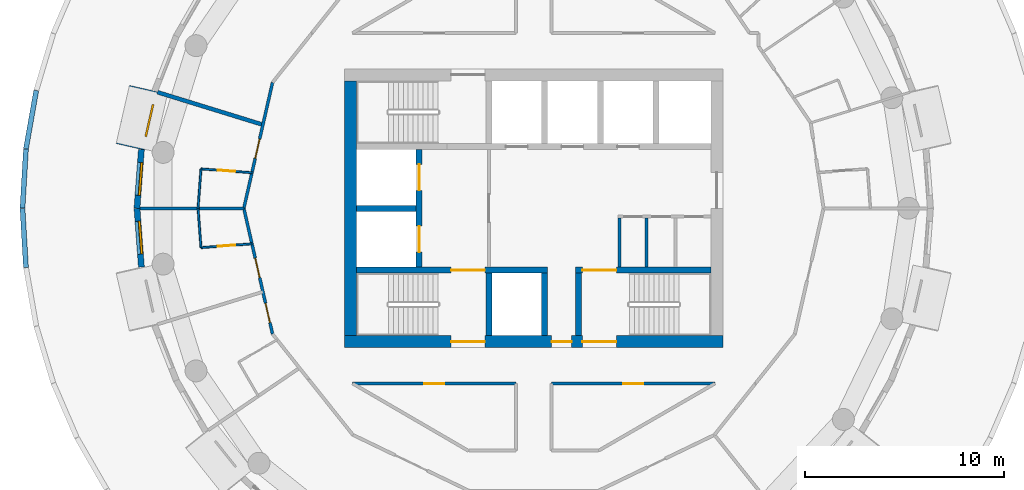
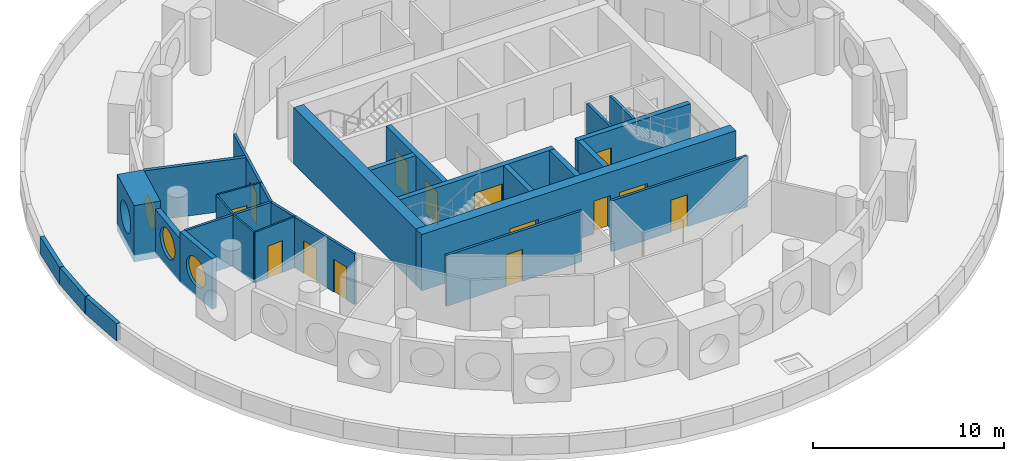
# One storey, part 4 of 13: 27 walls, 14 doors, 3 windows, 17 openings.
"""IFC4 building model written with IfcOpenShell, lengths in metres."""

from ifc_helpers import new_model, si_unit, direction, frame, frame_2d, origin, origin_2d, place, context, subcontext, project, spatial, rectangle, circle, extrude, material, layer, layer_set, type_object, element, fill, save


model = new_model("IFC4")

# Units and contexts
model_context = context("Model", 3, precision=1e-05, world=origin(), true_north=direction((0.0, 1.0)))
body_context = subcontext(model_context, "Body", "Model", "MODEL_VIEW")
ifc_project = project(units=[si_unit("LENGTHUNIT", "METRE"), si_unit("AREAUNIT", "SQUARE_METRE"), si_unit("VOLUMEUNIT", "CUBIC_METRE"), si_unit("PLANEANGLEUNIT", "RADIAN"), si_unit("MASSUNIT", "GRAM", prefix="KILO")], contexts=[model_context])

# Site, building, storey
site_placement = place(None, origin())
site = spatial("IfcSite", under=ifc_project, at=site_placement, CompositionType="ELEMENT")
building_placement = place(site_placement, origin())
building = spatial("IfcBuilding", under=site, at=building_placement, Name="Tracery Tower", CompositionType="ELEMENT")
storey_placement = place(building_placement, frame((0.0, 0.0, 231.0)))
storey = spatial("IfcBuildingStorey", under=building, at=storey_placement, Name="L59", CompositionType="ELEMENT", Elevation=231.0)

# Walls
ifc_material_1 = material(Name="Plasterboard on steel studs", Category="steel")
ifc_layer_1 = layer(ifc_material_1, 0.14990234375)
ifc_layer_set_1 = layer_set([ifc_layer_1], Name="Core room partition 150")
wall_type_1 = type_object("IfcWallType", Name="Core room partition 150", PredefinedType="SOLIDWALL", material=ifc_layer_set_1)
for number, where, z_axis, x_axis, name in (
    (1, (4.300048828125, -2.949951171875, 0.0), (0.0, 0.0, 1.0), (0.0, 1.0, 0.0), "L59 slot W"),
    (2, (5.675048828125, -2.949951171875, 0.0), (0.0, 0.0, 1.0), (0.0, 1.0, 0.0), "L59 slot sep 1"),
):
    element("IfcWall", number, at=place(storey_placement, frame(where, z_axis=z_axis, x_axis=x_axis)), inside=storey, type_object=wall_type_1, Name=name, PredefinedType="SOLIDWALL", context=body_context, shape_type="SweptSolid", body=[
        extrude(rectangle(XDim=2.449951171875, YDim=0.14990234375, at=frame_2d((1.22509765625, 0.0))), origin(), (0.0, 0.0, 1.0), 3.25),
    ])

# Wall, openings, doors
ifc_material_2 = material(Name="Concrete C40/50", Category="concrete")
ifc_layer_2 = layer(ifc_material_2, 0.60009765625)
ifc_layer_set_2 = layer_set([ifc_layer_2], Name="Core wall 600 C40")
wall_type_2 = type_object("IfcWallType", Name="Core wall 600 C40", PredefinedType="SOLIDWALL", material=ifc_layer_set_2)
wall_1_placement = place(storey_placement, frame((-9.5, -6.699951171875, 0.0), z_axis=(0.0, 0.0, 1.0), x_axis=(1.0, 0.0, 0.0)))
wall_1 = element("IfcWall", 3, at=wall_1_placement, inside=storey, type_object=wall_type_2, Name="L59 outer S", PredefinedType="SOLIDWALL", context=body_context, shape_type="SweptSolid", body=[
    extrude(rectangle(XDim=19.0, YDim=0.60009765625, at=frame_2d((9.5, 0.0))), origin(), (0.0, 0.0, 1.0), 3.60009765625),
])
opening_1_placement = place(wall_1_placement, frame((10.39990234375, 0.0, 0.0)))
opening_1 = element("IfcOpeningElement", 4, at=opening_1_placement, cuts=wall_1, Name="Opening KD16", PredefinedType="OPENING", context=body_context, shape_type="SweptSolid", body=[
    extrude(rectangle(XDim=1.0, YDim=2.10009765625, at=frame_2d((0.5, 1.050048828125))), frame((0.0, 0.300048828125, 0.0), z_axis=(0.0, -1.0, 0.0), x_axis=(1.0, 0.0, 0.0)), (0.0, 0.0, 1.0), 0.60009765625),
])
opening_2_placement = place(wall_1_placement, frame((5.35009765625, 0.0, 0.0)))
opening_2 = element("IfcOpeningElement", 5, at=opening_2_placement, cuts=wall_1, Name="Opening KD3", PredefinedType="OPENING", context=body_context, shape_type="SweptSolid", body=[
    extrude(rectangle(XDim=1.699951171875, YDim=2.10009765625, at=frame_2d((0.85009765625, 1.050048828125))), frame((0.0, 0.300048828125, 0.0), z_axis=(0.0, -1.0, 0.0), x_axis=(1.0, 0.0, 0.0)), (0.0, 0.0, 1.0), 0.60009765625),
])
opening_3_placement = place(wall_1_placement, frame((11.949951171875, 0.0, 0.0)))
opening_3 = element("IfcOpeningElement", 6, at=opening_3_placement, cuts=wall_1, Name="Opening KD3", PredefinedType="OPENING", context=body_context, shape_type="SweptSolid", body=[
    extrude(rectangle(XDim=1.699951171875, YDim=2.10009765625, at=frame_2d((0.85009765625, 1.050048828125))), frame((0.0, 0.300048828125, 0.0), z_axis=(0.0, -1.0, 0.0), x_axis=(1.0, 0.0, 0.0)), (0.0, 0.0, 1.0), 0.60009765625),
])
ifc_material_3 = material(Name="Steel fire door", Category="steel")
door_type_1 = type_object("IfcDoorType", Name="Core exit door 1000", OperationType="NOTDEFINED", PredefinedType="DOOR", material=ifc_material_3)
door_1_placement = place(opening_1_placement, origin())
door_1 = element("IfcDoor", 7, at=door_1_placement, inside=storey, type_object=door_type_1, Name="Core exit door", OperationType="SINGLE_SWING_LEFT", OverallHeight=2.10009765625, OverallWidth=1.0, PredefinedType="DOOR", context=body_context, shape_type="SweptSolid", body=[
    extrude(rectangle(XDim=1.0, YDim=2.10009765625, at=frame_2d((0.5, 1.050048828125))), frame((0.0, 0.02490234375, 0.0), z_axis=(0.0, -1.0, 0.0), x_axis=(1.0, 0.0, 0.0)), (0.0, 0.0, 1.0), 0.050048828125),
])
fill(opening_1, door_1)
ifc_material_4 = material(Name="Steel fire door", Category="steel")
door_type_2 = type_object("IfcDoorType", Name="Core stair door 1700 double", OperationType="NOTDEFINED", PredefinedType="DOOR", material=ifc_material_4)
door_2_placement = place(opening_2_placement, origin())
door_2 = element("IfcDoor", 8, at=door_2_placement, inside=storey, type_object=door_type_2, Name="Stair door ST1 exit", OperationType="DOUBLE_DOOR_SINGLE_SWING", OverallHeight=2.10009765625, OverallWidth=1.699951171875, PredefinedType="DOOR", context=body_context, shape_type="SweptSolid", body=[
    extrude(rectangle(XDim=1.699951171875, YDim=2.10009765625, at=frame_2d((0.85009765625, 1.050048828125))), frame((0.0, 0.02490234375, 0.0), z_axis=(0.0, -1.0, 0.0), x_axis=(1.0, 0.0, 0.0)), (0.0, 0.0, 1.0), 0.050048828125),
])
fill(opening_2, door_2)
door_3_placement = place(opening_3_placement, origin())
door_3 = element("IfcDoor", 9, at=door_3_placement, inside=storey, type_object=door_type_2, Name="Stair door ST2 exit", OperationType="DOUBLE_DOOR_SINGLE_SWING", OverallHeight=2.10009765625, OverallWidth=1.699951171875, PredefinedType="DOOR", context=body_context, shape_type="SweptSolid", body=[
    extrude(rectangle(XDim=1.699951171875, YDim=2.10009765625, at=frame_2d((0.85009765625, 1.050048828125))), frame((0.0, 0.02490234375, 0.0), z_axis=(0.0, -1.0, 0.0), x_axis=(1.0, 0.0, 0.0)), (0.0, 0.0, 1.0), 0.050048828125),
])
fill(opening_3, door_3)

# Wall
wall_2_placement = place(storey_placement, frame((-9.199951171875, -6.39990234375, 0.0), z_axis=(0.0, 0.0, 1.0), x_axis=(0.0, 1.0, 0.0)))
element("IfcWall", 10, at=wall_2_placement, inside=storey, type_object=wall_type_2, Name="L59 outer W", PredefinedType="SOLIDWALL", context=body_context, shape_type="SweptSolid", body=[
    extrude(rectangle(XDim=12.7998046875, YDim=0.60009765625, at=frame_2d((6.39990234375, 0.0))), origin(), (0.0, 0.0, 1.0), 3.60009765625),
])

# Wall, opening, window
ifc_material_5 = material(Name="Precast concrete C50/60", Category="concrete")
ifc_layer_3 = layer(ifc_material_5, 1.449951171875)
ifc_layer_set_3 = layer_set([ifc_layer_3], Name="Deep-set bay unit 3000 x 3600, slab edge 350")
wall_type_3 = type_object("IfcWallType", Name="Deep-set bay unit 3000 x 3600, slab edge 350", PredefinedType="ELEMENTEDWALL", material=ifc_layer_set_3)
wall_3_placement = place(storey_placement, frame((-19.5947265625, 6.010986328125, -0.35009765625), z_axis=(0.0, 0.0, 1.0), x_axis=(-0.222570682856, -0.974916555985, 0.0)))
wall_3 = element("IfcWall", 11, at=wall_3_placement, inside=storey, type_object=wall_type_3, Name="Deep-set bay unit 20 at L59", PredefinedType="ELEMENTEDWALL", context=body_context, shape_type="SweptSolid", body=[
    extrude(rectangle(XDim=3.0, YDim=1.449951171875, at=frame_2d((1.5, 0.0))), origin(), (0.0, 0.0, 1.0), 3.60009765625),
])
opening_4_placement = place(wall_3_placement, frame((1.5, 0.0, 1.89990234375)))
opening_4 = element("IfcOpeningElement", 12, at=opening_4_placement, cuts=wall_3, Name="Opening WN1", PredefinedType="OPENING", context=body_context, shape_type="SweptSolid", body=[
    extrude(circle(Radius=0.9000244140625, at=origin_2d()), frame((0.0, 0.73486328125, 0.0), z_axis=(0.0, -1.0, 0.0), x_axis=(1.0, 0.0, 0.0)), (0.0, 0.0, 1.0), 1.469970703125),
])
ifc_material_6 = material(Name="Aluminium frame with tinted double glazing", Category="aluminium")
window_type = type_object("IfcWindowType", Name="Round window 1800", PartitioningType="SINGLE_PANEL", PredefinedType="WINDOW", material=ifc_material_6)
window_1_placement = place(opening_4_placement, origin())
window_1 = element("IfcWindow", 13, at=window_1_placement, inside=storey, type_object=window_type, Name="Round window 20 at L59", OverallHeight=1.800048828125, OverallWidth=1.800048828125, PartitioningType="SINGLE_PANEL", PredefinedType="WINDOW", context=body_context, shape_type="SweptSolid", body=[
    extrude(circle(Radius=0.9000244140625, at=origin_2d()), frame((0.0, 0.69482421875, 0.0), z_axis=(0.0, -1.0, 0.0), x_axis=(1.0, 0.0, 0.0)), (0.0, 0.0, 1.0), 0.10009765625),
])
fill(opening_4, window_1)

ifc_material_7 = material(Name="Precast concrete C50/60", Category="concrete")
ifc_layer_4 = layer(ifc_material_7, 0.300048828125)
ifc_layer_set_4 = layer_set([ifc_layer_4], Name="Facade panel 3000 x 2800")
wall_type_4 = type_object("IfcWallType", Name="Facade panel 3000 x 2800", PredefinedType="SOLIDWALL", material=ifc_layer_set_4)
wall_4_placement = place(storey_placement, frame((-19.700439453125, 2.953857421875, 0.0), z_axis=(0.0, 0.0, 1.0), x_axis=(-0.074755115547, -0.997201921729, 0.0)))
wall_4 = element("IfcWall", 14, at=wall_4_placement, inside=storey, type_object=wall_type_4, Name="Facade panel 21 at L59", PredefinedType="SOLIDWALL", context=body_context, shape_type="SweptSolid", body=[
    extrude(rectangle(XDim=2.962158203125, YDim=0.300048828125, at=frame_2d((1.48095703125, 0.0))), origin(), (0.0, 0.0, 1.0), 2.800048828125),
])
opening_5_placement = place(wall_4_placement, frame((1.48095703125, 0.0, 1.5498046875)))
opening_5 = element("IfcOpeningElement", 15, at=opening_5_placement, cuts=wall_4, Name="Opening WN1", PredefinedType="OPENING", context=body_context, shape_type="SweptSolid", body=[
    extrude(circle(Radius=0.9000244140625, at=origin_2d()), frame((0.0, 0.159912109375, 0.0), z_axis=(0.0, -1.0, 0.0), x_axis=(1.0, 0.0, 0.0)), (0.0, 0.0, 1.0), 0.320068359375),
])
window_2_placement = place(opening_5_placement, origin())
window_2 = element("IfcWindow", 16, at=window_2_placement, inside=storey, type_object=window_type, Name="Round window 21 at L59", OverallHeight=1.800048828125, OverallWidth=1.800048828125, PartitioningType="SINGLE_PANEL", PredefinedType="WINDOW", context=body_context, shape_type="SweptSolid", body=[
    extrude(circle(Radius=0.9000244140625, at=origin_2d()), frame((0.0, 0.1201171875, 0.0), z_axis=(0.0, -1.0, 0.0), x_axis=(1.0, 0.0, 0.0)), (0.0, 0.0, 1.0), 0.10009765625),
])
fill(opening_5, window_2)

ifc_material_8 = material(Name="Precast concrete C50/60", Category="concrete")
ifc_layer_5 = layer(ifc_material_8, 0.300048828125)
ifc_layer_set_5 = layer_set([ifc_layer_5], Name="Facade panel 3000 x 3250")
wall_type_5 = type_object("IfcWallType", Name="Facade panel 3000 x 3250", PredefinedType="SOLIDWALL", material=ifc_layer_set_5)
wall_5_placement = place(storey_placement, frame((-19.921875, 0.0, 0.0), z_axis=(0.0, 0.0, 1.0), x_axis=(0.074755115547, -0.997201921729, 0.0)))
wall_5 = element("IfcWall", 17, at=wall_5_placement, inside=storey, type_object=wall_type_5, Name="Facade panel 22 at L59", PredefinedType="SOLIDWALL", context=body_context, shape_type="SweptSolid", body=[
    extrude(rectangle(XDim=2.962158203125, YDim=0.300048828125, at=frame_2d((1.48095703125, 0.0))), origin(), (0.0, 0.0, 1.0), 3.25),
])
opening_6_placement = place(wall_5_placement, frame((1.48095703125, 0.0, 1.5498046875)))
opening_6 = element("IfcOpeningElement", 18, at=opening_6_placement, cuts=wall_5, Name="Opening WN1", PredefinedType="OPENING", context=body_context, shape_type="SweptSolid", body=[
    extrude(circle(Radius=0.9000244140625, at=origin_2d()), frame((0.0, 0.159912109375, 0.0), z_axis=(0.0, -1.0, 0.0), x_axis=(1.0, 0.0, 0.0)), (0.0, 0.0, 1.0), 0.320068359375),
])
window_3_placement = place(opening_6_placement, origin())
window_3 = element("IfcWindow", 19, at=window_3_placement, inside=storey, type_object=window_type, Name="Round window 22 at L59", OverallHeight=1.800048828125, OverallWidth=1.800048828125, PartitioningType="SINGLE_PANEL", PredefinedType="WINDOW", context=body_context, shape_type="SweptSolid", body=[
    extrude(circle(Radius=0.9000244140625, at=origin_2d()), frame((0.0, 0.1201171875, 0.0), z_axis=(0.0, -1.0, 0.0), x_axis=(1.0, 0.0, 0.0)), (0.0, 0.0, 1.0), 0.10009765625),
])
fill(opening_6, window_3)

# Wall, opening, door
ifc_material_9 = material(Name="Plasterboard on steel studs", Category="steel")
ifc_layer_6 = layer(ifc_material_9, 0.10009765625)
ifc_layer_set_6 = layer_set([ifc_layer_6], Name="Partition 100 wet wall")
wall_type_6 = type_object("IfcWallType", Name="Partition 100 wet wall", PredefinedType="PARTITIONING", material=ifc_layer_set_6)
wall_6_placement = place(storey_placement, frame((-16.7080078125, 1.97705078125, 0.0), z_axis=(0.0, 0.0, 1.0), x_axis=(0.997193275785, -0.074870359477, 0.0)))
wall_6 = element("IfcWall", 20, at=wall_6_placement, inside=storey, type_object=wall_type_6, Name="Wet wall RC1-060", PredefinedType="PARTITIONING", context=body_context, shape_type="SweptSolid", body=[
    extrude(rectangle(XDim=2.56640625, YDim=0.10009765625, at=frame_2d((1.283203125, 0.0))), origin(), (0.0, 0.0, 1.0), 3.25),
])
opening_7_placement = place(wall_6_placement, frame((0.833251953125, 0.0, 0.0)))
opening_7 = element("IfcOpeningElement", 21, at=opening_7_placement, cuts=wall_6, Name="Opening RC1-14", PredefinedType="OPENING", context=body_context, shape_type="SweptSolid", body=[
    extrude(rectangle(XDim=0.89990234375, YDim=2.0400390625, at=frame_2d((0.449951171875, 1.02001953125))), frame((0.0, 0.050048828125, 0.0), z_axis=(0.0, -1.0, 0.0), x_axis=(1.0, 0.0, 0.0)), (0.0, 0.0, 1.0), 0.10009765625),
])
ifc_material_10 = material(Name="Timber door leaf", Category="wood")
door_type_3 = type_object("IfcDoorType", Name="Door en-suite 900", OperationType="NOTDEFINED", PredefinedType="DOOR", material=ifc_material_10)
door_4_placement = place(opening_7_placement, origin())
door_4 = element("IfcDoor", 22, at=door_4_placement, inside=storey, type_object=door_type_3, Name="En-suite door RC1-14", OperationType="SINGLE_SWING_LEFT", OverallHeight=2.0400390625, OverallWidth=0.89990234375, PredefinedType="DOOR", context=body_context, shape_type="SweptSolid", body=[
    extrude(rectangle(XDim=0.89990234375, YDim=2.0400390625, at=frame_2d((0.449951171875, 1.02001953125))), frame((0.0, 0.02490234375, 0.0), z_axis=(0.0, -1.0, 0.0), x_axis=(1.0, 0.0, 0.0)), (0.0, 0.0, 1.0), 0.050048828125),
])
fill(opening_7, door_4)

# Walls
for number, where, z_axis, x_axis, name in (
    (23, (-16.85595703125, 0.0, 0.0), (0.0, 0.0, 1.0), (0.074624634103, 0.997211694669, 0.0), "Wet wall RC1-061"),
    (24, (-16.85595703125, 0.0, 0.0), (0.0, 0.0, 1.0), (0.074624634103, -0.997211694669, 0.0), "Wet wall RC1-063"),
):
    element("IfcWall", number, at=place(storey_placement, frame(where, z_axis=z_axis, x_axis=x_axis)), inside=storey, type_object=wall_type_6, Name=name, PredefinedType="PARTITIONING", context=body_context, shape_type="SweptSolid", body=[
        extrude(rectangle(XDim=1.982666015625, YDim=0.10009765625, at=frame_2d((0.9912109375, 0.0))), origin(), (0.0, 0.0, 1.0), 3.25),
    ])

# Wall, opening, door
wall_7_placement = place(storey_placement, frame((-16.7080078125, -1.97705078125, 0.0), z_axis=(0.0, 0.0, 1.0), x_axis=(0.997193275785, 0.074870359477, 0.0)))
wall_7 = element("IfcWall", 25, at=wall_7_placement, inside=storey, type_object=wall_type_6, Name="Wet wall RC1-064", PredefinedType="PARTITIONING", context=body_context, shape_type="SweptSolid", body=[
    extrude(rectangle(XDim=2.56640625, YDim=0.10009765625, at=frame_2d((1.283203125, 0.0))), origin(), (0.0, 0.0, 1.0), 3.25),
])
opening_8_placement = place(wall_7_placement, frame((0.8330078125, 0.0, 0.0)))
opening_8 = element("IfcOpeningElement", 26, at=opening_8_placement, cuts=wall_7, Name="Opening RC1-16", PredefinedType="OPENING", context=body_context, shape_type="SweptSolid", body=[
    extrude(rectangle(XDim=0.89990234375, YDim=2.0400390625, at=frame_2d((0.449951171875, 1.02001953125))), frame((0.0, 0.050048828125, 0.0), z_axis=(0.0, -1.0, 0.0), x_axis=(1.0, 0.0, 0.0)), (0.0, 0.0, 1.0), 0.10009765625),
])
door_5_placement = place(opening_8_placement, origin())
door_5 = element("IfcDoor", 27, at=door_5_placement, inside=storey, type_object=door_type_3, Name="En-suite door RC1-16", OperationType="SINGLE_SWING_LEFT", OverallHeight=2.0400390625, OverallWidth=0.89990234375, PredefinedType="DOOR", context=body_context, shape_type="SweptSolid", body=[
    extrude(rectangle(XDim=0.89990234375, YDim=2.0400390625, at=frame_2d((0.449951171875, 1.02001953125))), frame((0.0, 0.02490234375, 0.0), z_axis=(0.0, -1.0, 0.0), x_axis=(1.0, 0.0, 0.0)), (0.0, 0.0, 1.0), 0.050048828125),
])
fill(opening_8, door_5)

# Wall
ifc_material_11 = material(Name="Plasterboard on steel studs", Category="steel")
ifc_layer_7 = layer(ifc_material_11, 0.14990234375)
ifc_layer_set_7 = layer_set([ifc_layer_7], Name="Partition 150 acoustic unit wall")
wall_type_7 = type_object("IfcWallType", Name="Partition 150 acoustic unit wall", PredefinedType="PARTITIONING", material=ifc_layer_set_7)
wall_8_placement = place(storey_placement, frame((-19.77099609375, 0.0, 0.0), z_axis=(0.0, 0.0, 1.0), x_axis=(1.0, 0.0, 0.0)))
element("IfcWall", 28, at=wall_8_placement, inside=storey, type_object=wall_type_7, Name="Unit wall RC1-062", PredefinedType="PARTITIONING", context=body_context, shape_type="SweptSolid", body=[
    extrude(rectangle(XDim=5.214111328125, YDim=0.14990234375, at=frame_2d((2.60693359375, 0.0))), origin(), (0.0, 0.0, 1.0), 3.25),
])

# Wall, opening, door
ifc_material_12 = material(Name="Plasterboard on steel studs", Category="steel")
ifc_layer_8 = layer(ifc_material_12, 0.14990234375)
ifc_layer_set_8 = layer_set([ifc_layer_8], Name="Partition 150 corridor wall")
wall_type_8 = type_object("IfcWallType", Name="Partition 150 corridor wall", PredefinedType="PARTITIONING", material=ifc_layer_set_8)
wall_9_placement = place(storey_placement, frame((-9.092041015625, -8.800048828125, 0.0), z_axis=(0.0, 0.0, 1.0), x_axis=(1.0, 0.0, 0.0)))
wall_9 = element("IfcWall", 29, at=wall_9_placement, inside=storey, type_object=wall_type_8, Name="Corridor wall RC1-011", PredefinedType="PARTITIONING", context=body_context, shape_type="SweptSolid", body=[
    extrude(rectangle(XDim=8.196044921875, YDim=0.14990234375, at=frame_2d((4.09814453125, 0.0))), origin(), (0.0, 0.0, 1.0), 3.25),
])
opening_9_placement = place(wall_9_placement, frame((3.597900390625, 0.0, 0.0)))
opening_9 = element("IfcOpeningElement", 30, at=opening_9_placement, cuts=wall_9, Name="Opening RC1-03", PredefinedType="OPENING", context=body_context, shape_type="SweptSolid", body=[
    extrude(rectangle(XDim=1.0, YDim=2.0400390625, at=frame_2d((0.5, 1.02001953125))), frame((0.0, 0.074951171875, 0.0), z_axis=(0.0, -1.0, 0.0), x_axis=(1.0, 0.0, 0.0)), (0.0, 0.0, 1.0), 0.14990234375),
])
ifc_material_13 = material(Name="Timber door leaf", Category="wood")
door_type_4 = type_object("IfcDoorType", Name="Door communal room 1000", OperationType="NOTDEFINED", PredefinedType="DOOR", material=ifc_material_13)
door_6_placement = place(opening_9_placement, origin())
door_6 = element("IfcDoor", 31, at=door_6_placement, inside=storey, type_object=door_type_4, Name="Communal room door RC1-03", OperationType="SINGLE_SWING_RIGHT", OverallHeight=2.0400390625, OverallWidth=1.0, PredefinedType="DOOR", context=body_context, shape_type="SweptSolid", body=[
    extrude(rectangle(XDim=1.0, YDim=2.0400390625, at=frame_2d((0.5, 1.02001953125))), frame((0.0, 0.02490234375, 0.0), z_axis=(0.0, -1.0, 0.0), x_axis=(1.0, 0.0, 0.0)), (0.0, 0.0, 1.0), 0.050048828125),
])
fill(opening_9, door_6)

wall_10_placement = place(storey_placement, frame((0.89599609375, -8.800048828125, 0.0), z_axis=(0.0, 0.0, 1.0), x_axis=(1.0, 0.0, 0.0)))
wall_10 = element("IfcWall", 32, at=wall_10_placement, inside=storey, type_object=wall_type_8, Name="Corridor wall RC1-014", PredefinedType="PARTITIONING", context=body_context, shape_type="SweptSolid", body=[
    extrude(rectangle(XDim=8.20458984375, YDim=0.14990234375, at=frame_2d((4.102294921875, 0.0))), origin(), (0.0, 0.0, 1.0), 3.25),
])
opening_10_placement = place(wall_10_placement, frame((3.597900390625, 0.0, 0.0)))
opening_10 = element("IfcOpeningElement", 33, at=opening_10_placement, cuts=wall_10, Name="Opening RC1-04", PredefinedType="OPENING", context=body_context, shape_type="SweptSolid", body=[
    extrude(rectangle(XDim=1.0, YDim=2.0400390625, at=frame_2d((0.5, 1.02001953125))), frame((0.0, 0.074951171875, 0.0), z_axis=(0.0, -1.0, 0.0), x_axis=(1.0, 0.0, 0.0)), (0.0, 0.0, 1.0), 0.14990234375),
])
door_7_placement = place(opening_10_placement, origin())
door_7 = element("IfcDoor", 34, at=door_7_placement, inside=storey, type_object=door_type_4, Name="Communal room door RC1-04", OperationType="SINGLE_SWING_RIGHT", OverallHeight=2.0400390625, OverallWidth=1.0, PredefinedType="DOOR", context=body_context, shape_type="SweptSolid", body=[
    extrude(rectangle(XDim=1.0, YDim=2.0400390625, at=frame_2d((0.5, 1.02001953125))), frame((0.0, 0.02490234375, 0.0), z_axis=(0.0, -1.0, 0.0), x_axis=(1.0, 0.0, 0.0)), (0.0, 0.0, 1.0), 0.050048828125),
])
fill(opening_10, door_7)

wall_11_placement = place(storey_placement, frame((-14.556640625, 0.0, 0.0), z_axis=(0.0, 0.0, 1.0), x_axis=(0.222533159771, 0.974925121639, 0.0)))
wall_11 = element("IfcWall", 35, at=wall_11_placement, inside=storey, type_object=wall_type_8, Name="Corridor wall RC1-033", PredefinedType="PARTITIONING", context=body_context, shape_type="SweptSolid", body=[
    extrude(rectangle(XDim=6.478271484375, YDim=0.14990234375, at=frame_2d((3.2392578125, 0.0))), origin(), (0.0, 0.0, 1.0), 3.25),
])
opening_11_placement = place(wall_11_placement, frame((2.56689453125, 0.0, 0.0)))
opening_11 = element("IfcOpeningElement", 36, at=opening_11_placement, cuts=wall_11, Name="Opening RC1-15", PredefinedType="OPENING", context=body_context, shape_type="SweptSolid", body=[
    extrude(rectangle(XDim=1.0, YDim=2.10009765625, at=frame_2d((0.5, 1.050048828125))), frame((0.0, 0.074951171875, 0.0), z_axis=(0.0, -1.0, 0.0), x_axis=(1.0, 0.0, 0.0)), (0.0, 0.0, 1.0), 0.14990234375),
])
ifc_material_14 = material(Name="Timber door leaf", Category="wood")
door_type_5 = type_object("IfcDoorType", Name="Door unit entrance 1000", OperationType="NOTDEFINED", PredefinedType="DOOR", material=ifc_material_14)
door_8_placement = place(opening_11_placement, origin())
door_8 = element("IfcDoor", 37, at=door_8_placement, inside=storey, type_object=door_type_5, Name="Unit entrance door RC1-15", OperationType="SINGLE_SWING_LEFT", OverallHeight=2.10009765625, OverallWidth=1.0, PredefinedType="DOOR", context=body_context, shape_type="SweptSolid", body=[
    extrude(rectangle(XDim=1.0, YDim=2.10009765625, at=frame_2d((0.5, 1.050048828125))), frame((0.0, 0.02490234375, 0.0), z_axis=(0.0, -1.0, 0.0), x_axis=(1.0, 0.0, 0.0)), (0.0, 0.0, 1.0), 0.050048828125),
])
fill(opening_11, door_8)

# Wall, openings, doors
wall_12_placement = place(storey_placement, frame((-14.556640625, 0.0, 0.0), z_axis=(0.0, 0.0, 1.0), x_axis=(0.222568978642, -0.97491694505, 0.0)))
wall_12 = element("IfcWall", 38, at=wall_12_placement, inside=storey, type_object=wall_type_8, Name="Corridor wall RC1-035", PredefinedType="PARTITIONING", context=body_context, shape_type="SweptSolid", body=[
    extrude(rectangle(XDim=6.478515625, YDim=0.14990234375, at=frame_2d((3.2392578125, 0.0))), origin(), (0.0, 0.0, 1.0), 3.25),
])
opening_12_placement = place(wall_12_placement, frame((2.567138671875, 0.0, 0.0)))
opening_12 = element("IfcOpeningElement", 39, at=opening_12_placement, cuts=wall_12, Name="Opening RC1-17", PredefinedType="OPENING", context=body_context, shape_type="SweptSolid", body=[
    extrude(rectangle(XDim=1.0, YDim=2.10009765625, at=frame_2d((0.5, 1.050048828125))), frame((0.0, 0.074951171875, 0.0), z_axis=(0.0, -1.0, 0.0), x_axis=(1.0, 0.0, 0.0)), (0.0, 0.0, 1.0), 0.14990234375),
])
opening_13_placement = place(wall_12_placement, frame((4.888427734375, 0.0, 0.0)))
opening_13 = element("IfcOpeningElement", 40, at=opening_13_placement, cuts=wall_12, Name="Opening RC1-19", PredefinedType="OPENING", context=body_context, shape_type="SweptSolid", body=[
    extrude(rectangle(XDim=1.0, YDim=2.10009765625, at=frame_2d((0.5, 1.050048828125))), frame((0.0, 0.074951171875, 0.0), z_axis=(0.0, -1.0, 0.0), x_axis=(1.0, 0.0, 0.0)), (0.0, 0.0, 1.0), 0.14990234375),
])
door_9_placement = place(opening_12_placement, origin())
door_9 = element("IfcDoor", 41, at=door_9_placement, inside=storey, type_object=door_type_5, Name="Unit entrance door RC1-17", OperationType="SINGLE_SWING_LEFT", OverallHeight=2.10009765625, OverallWidth=1.0, PredefinedType="DOOR", context=body_context, shape_type="SweptSolid", body=[
    extrude(rectangle(XDim=1.0, YDim=2.10009765625, at=frame_2d((0.5, 1.050048828125))), frame((0.0, 0.02490234375, 0.0), z_axis=(0.0, -1.0, 0.0), x_axis=(1.0, 0.0, 0.0)), (0.0, 0.0, 1.0), 0.050048828125),
])
fill(opening_12, door_9)
door_10_placement = place(opening_13_placement, origin())
door_10 = element("IfcDoor", 42, at=door_10_placement, inside=storey, type_object=door_type_5, Name="Unit entrance door RC1-19", OperationType="SINGLE_SWING_RIGHT", OverallHeight=2.10009765625, OverallWidth=1.0, PredefinedType="DOOR", context=body_context, shape_type="SweptSolid", body=[
    extrude(rectangle(XDim=1.0, YDim=2.10009765625, at=frame_2d((0.5, 1.050048828125))), frame((0.0, 0.02490234375, 0.0), z_axis=(0.0, -1.0, 0.0), x_axis=(1.0, 0.0, 0.0)), (0.0, 0.0, 1.0), 0.050048828125),
])
fill(opening_13, door_10)

# Walls
ifc_material_15 = material(Name="Plasterboard on steel studs", Category="steel")
ifc_layer_9 = layer(ifc_material_15, 0.199951171875)
ifc_layer_set_9 = layer_set([ifc_layer_9], Name="Partition 200 compartment wall")
wall_type_9 = type_object("IfcWallType", Name="Partition 200 compartment wall", PredefinedType="PARTITIONING", material=ifc_layer_set_9)
wall_13_placement = place(storey_placement, frame((-18.89306640625, 5.827880859375, 0.0), z_axis=(0.0, 0.0, 1.0), x_axis=(0.955580602693, -0.294729896274, 0.0)))
element("IfcWall", 43, at=wall_13_placement, inside=storey, type_object=wall_type_9, Name="Compartment wall RC1-059", PredefinedType="PARTITIONING", context=body_context, shape_type="SweptSolid", body=[
    extrude(rectangle(XDim=5.5400390625, YDim=0.199951171875, at=frame_2d((2.77001953125, 0.0))), origin(), (0.0, 0.0, 1.0), 3.25),
])
ifc_material_16 = material(Name="Concrete C40/50", Category="concrete")
ifc_layer_10 = layer(ifc_material_16, 0.300048828125)
ifc_layer_set_10 = layer_set([ifc_layer_10], Name="Shaft wall 300 C40")
wall_type_10 = type_object("IfcWallType", Name="Shaft wall 300 C40", PredefinedType="SOLIDWALL", material=ifc_layer_set_10)
wall_14_placement = place(storey_placement, frame((-8.89990234375, 0.0, 0.0), z_axis=(0.0, 0.0, 1.0), x_axis=(1.0, 0.0, 0.0)))
element("IfcWall", 44, at=wall_14_placement, inside=storey, type_object=wall_type_10, Name="L59 FF split", PredefinedType="SOLIDWALL", context=body_context, shape_type="SweptSolid", body=[
    extrude(rectangle(XDim=3.0, YDim=0.300048828125, at=frame_2d((1.5, 0.0))), origin(), (0.0, 0.0, 1.0), 3.25),
])

# Wall, openings, doors
wall_15_placement = place(storey_placement, frame((-5.75, -2.949951171875, 0.0), z_axis=(0.0, 0.0, 1.0), x_axis=(0.0, 1.0, 0.0)))
wall_15 = element("IfcWall", 45, at=wall_15_placement, inside=storey, type_object=wall_type_10, Name="L59 FF doors", PredefinedType="SOLIDWALL", context=body_context, shape_type="SweptSolid", body=[
    extrude(rectangle(XDim=5.89990234375, YDim=0.300048828125, at=frame_2d((2.949951171875, 0.0))), origin(), (0.0, 0.0, 1.0), 3.25),
])
opening_14_placement = place(wall_15_placement, frame((0.75, 0.0, 0.0)))
opening_14 = element("IfcOpeningElement", 46, at=opening_14_placement, cuts=wall_15, Name="Opening KD54", PredefinedType="OPENING", context=body_context, shape_type="SweptSolid", body=[
    extrude(rectangle(XDim=1.300048828125, YDim=2.10009765625, at=frame_2d((0.64990234375, 1.050048828125))), frame((0.0, 0.14990234375, 0.0), z_axis=(0.0, -1.0, 0.0), x_axis=(1.0, 0.0, 0.0)), (0.0, 0.0, 1.0), 0.300048828125),
])
opening_15_placement = place(wall_15_placement, frame((3.85009765625, 0.0, 0.0)))
opening_15 = element("IfcOpeningElement", 47, at=opening_15_placement, cuts=wall_15, Name="Opening KD55", PredefinedType="OPENING", context=body_context, shape_type="SweptSolid", body=[
    extrude(rectangle(XDim=1.300048828125, YDim=2.10009765625, at=frame_2d((0.64990234375, 1.050048828125))), frame((0.0, 0.14990234375, 0.0), z_axis=(0.0, -1.0, 0.0), x_axis=(1.0, 0.0, 0.0)), (0.0, 0.0, 1.0), 0.300048828125),
])
ifc_material_17 = material(Name="Steel fire door", Category="steel")
door_type_6 = type_object("IfcDoorType", Name="Landing door FF 1300", OperationType="NOTDEFINED", PredefinedType="DOOR", material=ifc_material_17)
door_11_placement = place(opening_14_placement, origin())
door_11 = element("IfcDoor", 48, at=door_11_placement, inside=storey, type_object=door_type_6, Name="Landing door FF1", OperationType="SLIDING_TO_LEFT", OverallHeight=2.10009765625, OverallWidth=1.300048828125, PredefinedType="DOOR", context=body_context, shape_type="SweptSolid", body=[
    extrude(rectangle(XDim=1.300048828125, YDim=2.10009765625, at=frame_2d((0.64990234375, 1.050048828125))), frame((0.0, 0.02490234375, 0.0), z_axis=(0.0, -1.0, 0.0), x_axis=(1.0, 0.0, 0.0)), (0.0, 0.0, 1.0), 0.050048828125),
])
fill(opening_14, door_11)
door_12_placement = place(opening_15_placement, origin())
door_12 = element("IfcDoor", 49, at=door_12_placement, inside=storey, type_object=door_type_6, Name="Landing door FF2", OperationType="SLIDING_TO_RIGHT", OverallHeight=2.10009765625, OverallWidth=1.300048828125, PredefinedType="DOOR", context=body_context, shape_type="SweptSolid", body=[
    extrude(rectangle(XDim=1.300048828125, YDim=2.10009765625, at=frame_2d((0.64990234375, 1.050048828125))), frame((0.0, 0.02490234375, 0.0), z_axis=(0.0, -1.0, 0.0), x_axis=(1.0, 0.0, 0.0)), (0.0, 0.0, 1.0), 0.050048828125),
])
fill(opening_15, door_12)

# Wall
wall_16_placement = place(storey_placement, frame((0.550048828125, -6.39990234375, 0.0), z_axis=(0.0, 0.0, 1.0), x_axis=(0.0, 1.0, 0.0)))
element("IfcWall", 50, at=wall_16_placement, inside=storey, type_object=wall_type_10, Name="L59 OB2 E", PredefinedType="SOLIDWALL", context=body_context, shape_type="SweptSolid", body=[
    extrude(rectangle(XDim=3.14990234375, YDim=0.300048828125, at=frame_2d((1.574951171875, 0.0))), origin(), (0.0, 0.0, 1.0), 3.25),
])

# Wall, opening, door
ifc_material_18 = material(Name="Concrete C40/50", Category="concrete")
ifc_layer_11 = layer(ifc_material_18, 0.300048828125)
ifc_layer_set_11 = layer_set([ifc_layer_11], Name="Stair wall 300 C40")
wall_type_11 = type_object("IfcWallType", Name="Stair wall 300 C40", PredefinedType="SOLIDWALL", material=ifc_layer_set_11)
wall_17_placement = place(storey_placement, frame((-8.89990234375, -3.10009765625, 0.0), z_axis=(0.0, 0.0, 1.0), x_axis=(1.0, 0.0, 0.0)))
wall_17 = element("IfcWall", 51, at=wall_17_placement, inside=storey, type_object=wall_type_11, Name="L59 row S", PredefinedType="SOLIDWALL", context=body_context, shape_type="SweptSolid", body=[
    extrude(rectangle(XDim=9.599853515625, YDim=0.300048828125, at=frame_2d((4.7998046875, 0.0))), origin(), (0.0, 0.0, 1.0), 3.25),
])
opening_16_placement = place(wall_17_placement, frame((4.75, 0.0, 0.0)))
opening_16 = element("IfcOpeningElement", 52, at=opening_16_placement, cuts=wall_17, Name="Opening KD3", PredefinedType="OPENING", context=body_context, shape_type="SweptSolid", body=[
    extrude(rectangle(XDim=1.699951171875, YDim=2.10009765625, at=frame_2d((0.85009765625, 1.050048828125))), frame((0.0, 0.14990234375, 0.0), z_axis=(0.0, -1.0, 0.0), x_axis=(1.0, 0.0, 0.0)), (0.0, 0.0, 1.0), 0.300048828125),
])
door_13_placement = place(opening_16_placement, origin())
door_13 = element("IfcDoor", 53, at=door_13_placement, inside=storey, type_object=door_type_2, Name="Stair door ST1", OperationType="DOUBLE_DOOR_SINGLE_SWING", OverallHeight=2.10009765625, OverallWidth=1.699951171875, PredefinedType="DOOR", context=body_context, shape_type="SweptSolid", body=[
    extrude(rectangle(XDim=1.699951171875, YDim=2.10009765625, at=frame_2d((0.85009765625, 1.050048828125))), frame((0.0, 0.02490234375, 0.0), z_axis=(0.0, -1.0, 0.0), x_axis=(1.0, 0.0, 0.0)), (0.0, 0.0, 1.0), 0.050048828125),
])
fill(opening_16, door_13)

wall_18_placement = place(storey_placement, frame((2.10009765625, -3.10009765625, 0.0), z_axis=(0.0, 0.0, 1.0), x_axis=(1.0, 0.0, 0.0)))
wall_18 = element("IfcWall", 54, at=wall_18_placement, inside=storey, type_object=wall_type_11, Name="L59 row S E", PredefinedType="SOLIDWALL", context=body_context, shape_type="SweptSolid", body=[
    extrude(rectangle(XDim=6.7998046875, YDim=0.300048828125, at=frame_2d((3.39990234375, 0.0))), origin(), (0.0, 0.0, 1.0), 3.25),
])
opening_17_placement = place(wall_18_placement, frame((0.35009765625, 0.0, 0.0)))
opening_17 = element("IfcOpeningElement", 55, at=opening_17_placement, cuts=wall_18, Name="Opening KD3", PredefinedType="OPENING", context=body_context, shape_type="SweptSolid", body=[
    extrude(rectangle(XDim=1.699951171875, YDim=2.10009765625, at=frame_2d((0.85009765625, 1.050048828125))), frame((0.0, 0.14990234375, 0.0), z_axis=(0.0, -1.0, 0.0), x_axis=(1.0, 0.0, 0.0)), (0.0, 0.0, 1.0), 0.300048828125),
])
door_14_placement = place(opening_17_placement, origin())
door_14 = element("IfcDoor", 56, at=door_14_placement, inside=storey, type_object=door_type_2, Name="Stair door ST2", OperationType="DOUBLE_DOOR_SINGLE_SWING", OverallHeight=2.10009765625, OverallWidth=1.699951171875, PredefinedType="DOOR", context=body_context, shape_type="SweptSolid", body=[
    extrude(rectangle(XDim=1.699951171875, YDim=2.10009765625, at=frame_2d((0.85009765625, 1.050048828125))), frame((0.0, 0.02490234375, 0.0), z_axis=(0.0, -1.0, 0.0), x_axis=(1.0, 0.0, 0.0)), (0.0, 0.0, 1.0), 0.050048828125),
])
fill(opening_17, door_14)

# Walls
for number, where, z_axis, x_axis, name in (
    (57, (-2.25, -6.39990234375, 0.0), (0.0, 0.0, 1.0), (0.0, 1.0, 0.0), "L59 ST1 E"),
    (58, (2.25, -6.39990234375, 0.0), (0.0, 0.0, 1.0), (0.0, 1.0, 0.0), "L59 ST2 W"),
):
    element("IfcWall", number, at=place(storey_placement, frame(where, z_axis=z_axis, x_axis=x_axis)), inside=storey, type_object=wall_type_11, Name=name, PredefinedType="SOLIDWALL", context=body_context, shape_type="SweptSolid", body=[
        extrude(rectangle(XDim=3.14990234375, YDim=0.300048828125, at=frame_2d((1.574951171875, 0.0))), origin(), (0.0, 0.0, 1.0), 3.25),
    ])
ifc_material_19 = material(Name="Precast concrete C50/60", Category="concrete")
ifc_layer_12 = layer(ifc_material_19, 0.25)
ifc_layer_set_12 = layer_set([ifc_layer_12], Name="Terrace parapet 250")
wall_type_12 = type_object("IfcWallType", Name="Terrace parapet 250", PredefinedType="PARAPET", material=ifc_layer_set_12)
for number, where, z_axis, x_axis, name in (
    (59, (-24.98193359375, 5.912353515625, 0.0), (0.0, 0.0, 1.0), (-0.173672747481, -0.984803420375, 0.0), "Terrace parapet L59 26"),
    (60, (-25.49951171875, 2.97216796875, 0.0), (0.0, 0.0, 1.0), (-0.058138724814, -0.998308513776, 0.0), "Terrace parapet L59 27"),
    (61, (-25.672119140625, -0.00830078125, 0.0), (0.0, 0.0, 1.0), (0.058138724814, -0.998308513776, 0.0), "Terrace parapet L59 28"),
):
    element("IfcWall", number, at=place(storey_placement, frame(where, z_axis=z_axis, x_axis=x_axis)), inside=storey, type_object=wall_type_12, Name=name, PredefinedType="PARAPET", context=body_context, shape_type="SweptSolid", body=[
        extrude(rectangle(XDim=2.968994140625, YDim=0.25, at=frame_2d((1.484375, 0.0))), origin(), (0.0, 0.0, 1.0), 1.10009765625),
    ])

save(model, "model.ifc")
